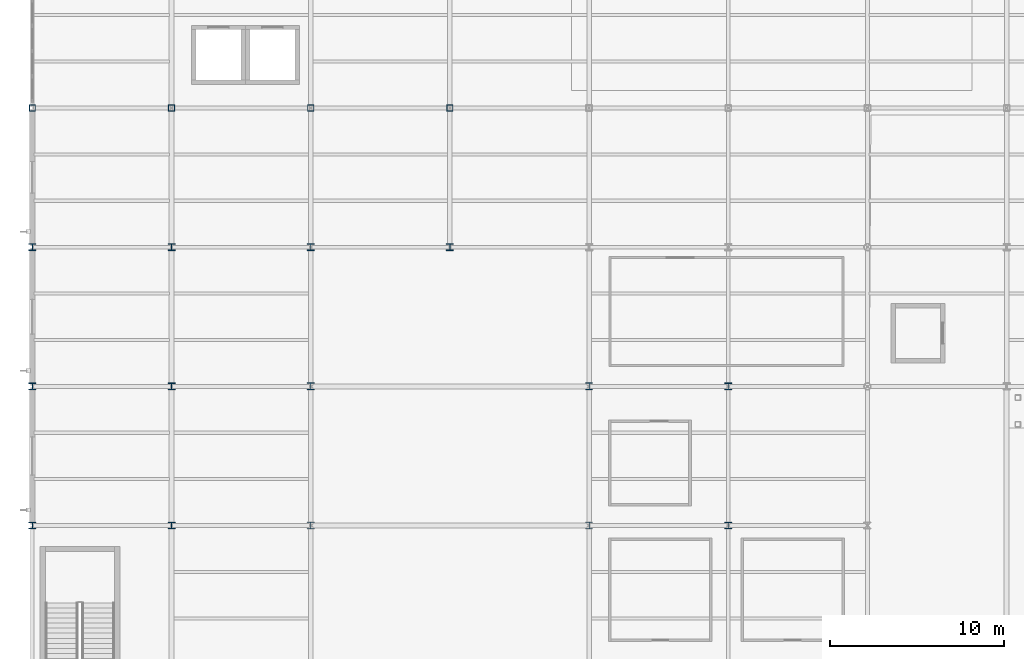
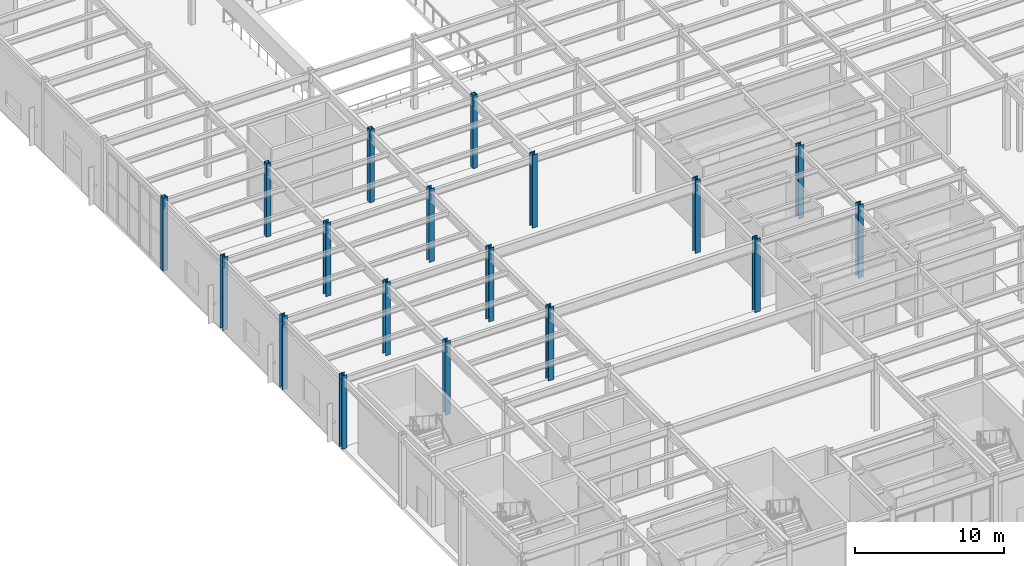
# One storey, part 7 of 82: 18 columns.
"""IFC4 building model written with IfcOpenShell, lengths in metres."""

import ifcopenshell
import ifcopenshell.guid

model = None  # the IFC model being written
_history = None  # IfcOwnerHistory: only IFC2X3 demands one
_inside = {}  # id of a spatial element -> (the spatial element, [elements in it])
_under = {}  # id of a project, library or spatial element -> (it, [spatial elements below it])
_declared = {}  # id of a project -> (the project, [libraries it declares])
_typed = {}  # id of a type object -> (the type object, [elements of that type])
_made_of = {}  # id of a material, layer set ... -> (it, [elements and type objects made of it])


def new_model(schema):
    """Start an empty IFC model of exactly this schema.

    Asked for "IFC4X3", IfcOpenShell would pick the latest addendum, in which some entities
    have other attributes; the version numbers below select the first issue.
    IFC2X3 requires an IfcOwnerHistory on every rooted entity: one is made here for all.
    """
    global model, _history
    if schema == "IFC4X3":
        model = ifcopenshell.file(schema_version=(4, 3, 0, 0))
    else:
        model = ifcopenshell.file(schema=schema)
    _inside.clear()
    _under.clear()
    _declared.clear()
    _typed.clear()
    _made_of.clear()
    _history = None
    if model.schema == "IFC2X3":
        org = make("IfcOrganization", Name="unknown")
        user = make(
            "IfcPersonAndOrganization",
            ThePerson=make("IfcPerson", FamilyName="unknown"),
            TheOrganization=org,
        )
        app = make(
            "IfcApplication",
            ApplicationDeveloper=org,
            Version="unknown",
            ApplicationFullName="unknown",
            ApplicationIdentifier="unknown",
        )
        _history = make(
            "IfcOwnerHistory",
            OwningUser=user,
            OwningApplication=app,
            ChangeAction="ADDED",
            CreationDate=0,
        )
    return model


def make(cls, **values):
    """One entity of the class cls with the attributes given. An attribute that is None is left unset."""
    return model.create_entity(
        cls, **{name: value for name, value in values.items() if value is not None}
    )


def rooted(cls, **values):
    """An entity with a GlobalId (a new one), such as an element, a storey or a relation."""
    return make(cls, GlobalId=ifcopenshell.guid.new(), OwnerHistory=_history, **values)


def si_unit(unit_type, name, prefix=None):
    """IfcSIUnit, for example si_unit("LENGTHUNIT", "METRE", prefix="MILLI")."""
    return make("IfcSIUnit", UnitType=unit_type, Prefix=prefix, Name=name)


def assignment(units):
    """IfcUnitAssignment: the units of a project."""
    return None if units is None else make("IfcUnitAssignment", Units=units)


def point(xyz):
    """IfcCartesianPoint."""
    return None if xyz is None else make("IfcCartesianPoint", Coordinates=xyz)


def direction(xyz):
    """IfcDirection."""
    return None if xyz is None else make("IfcDirection", DirectionRatios=xyz)


def frame(location, z_axis=None, x_axis=None):
    """IfcAxis2Placement3D, a coordinate frame: its origin and axes. An axis left out is left unset."""
    return make(
        "IfcAxis2Placement3D",
        Location=point(location),
        Axis=direction(z_axis),
        RefDirection=direction(x_axis),
    )


def frame_2d(location, x_axis=None):
    """IfcAxis2Placement2D, a coordinate frame in the plane: its origin and x axis."""
    return make(
        "IfcAxis2Placement2D", Location=point(location), RefDirection=direction(x_axis)
    )


def origin():
    """The frame at (0, 0, 0) with its axes left unset."""
    return frame((0.0, 0.0, 0.0))


def origin_2d():
    """The frame at (0, 0) in the plane with its x axis left unset."""
    return frame_2d((0.0, 0.0))


def place(relative_to, where):
    """IfcLocalPlacement: puts the frame where relative to a parent placement (None: the world)."""
    return make(
        "IfcLocalPlacement", PlacementRelTo=relative_to, RelativePlacement=where
    )


def context(
    kind, dimensions, precision=None, world=None, true_north=None, identifier=None
):
    """IfcGeometricRepresentationContext, for example the 3D "Model" context."""
    return make(
        "IfcGeometricRepresentationContext",
        ContextIdentifier=identifier,
        ContextType=kind,
        CoordinateSpaceDimension=dimensions,
        Precision=precision,
        WorldCoordinateSystem=world,
        TrueNorth=true_north,
    )


def subcontext(parent, identifier, kind, view, scale=None):
    """IfcGeometricRepresentationSubContext, for example "Body" below "Model"."""
    return make(
        "IfcGeometricRepresentationSubContext",
        ContextIdentifier=identifier,
        ContextType=kind,
        ParentContext=parent,
        TargetScale=scale,
        TargetView=view,
    )


def project(units=None, contexts=None):
    """IfcProject with its units and contexts."""
    return rooted(
        "IfcProject",
        Name="project",
        RepresentationContexts=contexts,
        UnitsInContext=assignment(units),
    )


def spatial(cls, under=None, at=None, **own):
    """A site, building, storey or space (cls), placed at a placement, below another one or the project."""
    s = rooted(cls, ObjectPlacement=at, **own)
    if under is not None:
        _under.setdefault(under.id(), (under, []))[1].append(s)
    return s


def profile(cls, at=None, kind="AREA", **sizes):
    """A parametric profile (cls). Its sizes go by their IFC names, for example OverallWidth=200.0."""
    return make(cls, ProfileType=kind, Position=at, **sizes)


def hollow_rectangle(**sizes):
    """IfcRectangleHollowProfileDef."""
    return profile("IfcRectangleHollowProfileDef", **sizes)


def i_section(**sizes):
    """IfcIShapeProfileDef."""
    return profile("IfcIShapeProfileDef", **sizes)


def extrude(swept, where, along, depth):
    """IfcExtrudedAreaSolid: the profile swept, set in the frame where, extruded along a direction by depth."""
    return make(
        "IfcExtrudedAreaSolid",
        SweptArea=swept,
        Position=where,
        ExtrudedDirection=direction(along),
        Depth=depth,
    )


def shape(context_of_items, identifier, shape_type, items):
    """IfcShapeRepresentation: the items that make up one representation, for example the "Body"."""
    return make(
        "IfcShapeRepresentation",
        ContextOfItems=context_of_items,
        RepresentationIdentifier=identifier,
        RepresentationType=shape_type,
        Items=items,
    )


def material(Name=None, Category=None):
    """IfcMaterial."""
    return make("IfcMaterial", Name=Name, Category=Category)


def material_profile(
    of_material, cross_section, Name=None, Category=None, Priority=None
):
    """IfcMaterialProfile: a cross section and its material."""
    return make(
        "IfcMaterialProfile",
        Name=Name,
        Material=of_material,
        Profile=cross_section,
        Priority=Priority,
        Category=Category,
    )


def profile_set(profiles, Name=None, composite=None):
    """IfcMaterialProfileSet."""
    return make(
        "IfcMaterialProfileSet",
        Name=Name,
        MaterialProfiles=profiles,
        CompositeProfile=composite,
    )


def made_of(thing, what):
    """Note that an element or type object is made of a material, layer set ...; save() writes the relation."""
    if what is not None:
        _made_of.setdefault(what.id(), (what, []))[1].append(thing)
    return thing


def type_object(cls, material=None, **own):
    """A type object (cls), such as IfcWallType, which elements share."""
    return made_of(rooted(cls, **own), material)


def element(
    cls,
    number,
    at=None,
    inside=None,
    cuts=None,
    type_object=None,
    material=None,
    context=None,
    identifier="Body",
    shape_type=None,
    held_by="IfcProductDefinitionShape",
    body=None,
    shapes=None,
    **own,
):
    """One element of the class cls, such as IfcWall. Its Tag is "e" and its number.

    at: its placement. inside: the storey or other place that contains it. cuts: it is an
    opening in that element (IfcRelVoidsElement). A single representation is given by context,
    identifier, shape_type and body (its items); several are given by shapes. held_by: the class
    of the entity that holds the representations. save() writes the other relations.
    """
    e = rooted(cls, Tag="e%d" % number, ObjectPlacement=at, **own)
    if body is not None:
        shapes = [shape(context, identifier, shape_type, body)]
    if shapes is not None:
        e.Representation = make(held_by, Representations=shapes)
    if inside is not None:
        _inside.setdefault(inside.id(), (inside, []))[1].append(e)
    if cuts is not None:
        rooted(
            "IfcRelVoidsElement", RelatingBuildingElement=cuts, RelatedOpeningElement=e
        )
    if type_object is not None:
        _typed.setdefault(type_object.id(), (type_object, []))[1].append(e)
    return made_of(e, material)


def aggregate(whole, parts):
    """IfcRelAggregates: a whole, such as a stair, and the parts it consists of."""
    return rooted("IfcRelAggregates", RelatingObject=whole, RelatedObjects=parts)


def save(model, path):
    """Write the relations noted so far, then the file.

    IfcRelAggregates (storeys below a building ...), IfcRelContainedInSpatialStructure (elements
    in a storey), IfcRelDefinesByType, IfcRelAssociatesMaterial and IfcRelDeclares: one each for
    every whole, place, type object, material and project.
    """
    for whole, parts in _under.values():
        aggregate(whole, parts)
    for where, things in _inside.values():
        rooted(
            "IfcRelContainedInSpatialStructure",
            RelatedElements=things,
            RelatingStructure=where,
        )
    for kind, things in _typed.values():
        rooted("IfcRelDefinesByType", RelatedObjects=things, RelatingType=kind)
    for what, things in _made_of.values():
        rooted("IfcRelAssociatesMaterial", RelatedObjects=things, RelatingMaterial=what)
    for by, libraries in _declared.values():
        rooted("IfcRelDeclares", RelatingContext=by, RelatedDefinitions=libraries)
    model.write(path)


model = new_model("IFC4")

# Units and contexts
model_context = context("Model", 3, precision=1e-05, world=origin(), true_north=direction((0.0, 1.0)))
body_context = subcontext(model_context, "Body", "Model", "MODEL_VIEW")
ifc_project = project(units=[si_unit("LENGTHUNIT", "METRE"), si_unit("AREAUNIT", "SQUARE_METRE"), si_unit("VOLUMEUNIT", "CUBIC_METRE"), si_unit("PLANEANGLEUNIT", "RADIAN"), si_unit("MASSUNIT", "GRAM", prefix="KILO")], contexts=[model_context])

# Site, building, storey
site_placement = place(None, origin())
site = spatial("IfcSite", under=ifc_project, at=site_placement, CompositionType="ELEMENT")
building_placement = place(site_placement, origin())
building = spatial("IfcBuilding", under=site, at=building_placement, Name="Drelvath Fold Interchange", CompositionType="ELEMENT")
storey_placement = place(building_placement, origin())
storey = spatial("IfcBuildingStorey", under=building, at=storey_placement, Name="L00", CompositionType="ELEMENT", Elevation=0.0)

# Columns
ifc_material_1 = material(Name="Steel ASTM A500 Grade C", Category="steel")
ifc_material_profile_1 = material_profile(ifc_material_1, hollow_rectangle(XDim=0.35595703125, YDim=0.35595703125, WallThickness=0.014892578125, at=origin_2d()), Name="HSS14X14X5/8")
ifc_profile_set_1 = profile_set([ifc_material_profile_1], Name="Steel ASTM A500 Grade C")
column_type_1 = type_object("IfcColumnType", Name="COL-HSS356", PredefinedType="COLUMN", material=ifc_profile_set_1)
for number, where, z_axis, x_axis, name in (
    (1, (4.0, 59.0, 0.0), (0.0, 0.0, 1.0), (1.0, 0.0, 0.0), "L00 column (4,59)"),
    (2, (12.0, 59.0, 0.0), (0.0, 0.0, 1.0), (1.0, 0.0, 0.0), "L00 column (12,59)"),
    (3, (20.0, 59.0, 0.0), (0.0, 0.0, 1.0), (1.0, 0.0, 0.0), "L00 column (20,59)"),
    (4, (28.0, 59.0, 0.0), (0.0, 0.0, 1.0), (1.0, 0.0, 0.0), "L00 column (28,59)"),
):
    element("IfcColumn", number, at=place(storey_placement, frame(where, z_axis=z_axis, x_axis=x_axis)), inside=storey, type_object=column_type_1, Name=name, PredefinedType="COLUMN", context=body_context, shape_type="SweptSolid", body=[
        extrude(hollow_rectangle(XDim=0.35595703125, YDim=0.35595703125, WallThickness=0.014892578125, at=origin_2d()), origin(), (0.0, 0.0, 1.0), 6.0),
    ])
ifc_material_2 = material(Name="Steel ASTM A992 Grade 50", Category="steel")
ifc_material_profile_2 = material_profile(ifc_material_2, i_section(OverallWidth=0.39892578125, OverallDepth=0.39306640625, WebThickness=0.022705078125, FlangeThickness=0.03662109375, at=origin_2d()), Name="W14X193")
ifc_profile_set_2 = profile_set([ifc_material_profile_2], Name="Steel ASTM A992 Grade 50")
column_type_2 = type_object("IfcColumnType", Name="COL-W14X193", PredefinedType="COLUMN", material=ifc_profile_set_2)
for number, where, z_axis, x_axis, name in (
    (5, (4.0, 35.0, 0.0), (0.0, 0.0, 1.0), (1.0, 0.0, 0.0), "L00 column (4,35)"),
    (6, (4.0, 43.0, 0.0), (0.0, 0.0, 1.0), (1.0, 0.0, 0.0), "L00 column (4,43)"),
    (7, (4.0, 51.0, 0.0), (0.0, 0.0, 1.0), (1.0, 0.0, 0.0), "L00 column (4,51)"),
    (8, (12.0, 35.0, 0.0), (0.0, 0.0, 1.0), (1.0, 0.0, 0.0), "L00 column (12,35)"),
    (9, (12.0, 43.0, 0.0), (0.0, 0.0, 1.0), (1.0, 0.0, 0.0), "L00 column (12,43)"),
    (10, (12.0, 51.0, 0.0), (0.0, 0.0, 1.0), (1.0, 0.0, 0.0), "L00 column (12,51)"),
    (11, (20.0, 51.0, 0.0), (0.0, 0.0, 1.0), (1.0, 0.0, 0.0), "L00 column (20,51)"),
    (12, (28.0, 51.0, 0.0), (0.0, 0.0, 1.0), (1.0, 0.0, 0.0), "L00 column (28,51)"),
    (13, (44.0, 35.0, 0.0), (0.0, 0.0, 1.0), (1.0, 0.0, 0.0), "L00 column (44,35)"),
    (14, (44.0, 43.0, 0.0), (0.0, 0.0, 1.0), (1.0, 0.0, 0.0), "L00 column (44,43)"),
):
    element("IfcColumn", number, at=place(storey_placement, frame(where, z_axis=z_axis, x_axis=x_axis)), inside=storey, type_object=column_type_2, Name=name, PredefinedType="COLUMN", context=body_context, shape_type="SweptSolid", body=[
        extrude(i_section(OverallWidth=0.39892578125, OverallDepth=0.39306640625, WebThickness=0.022705078125, FlangeThickness=0.03662109375, at=origin_2d()), origin(), (0.0, 0.0, 1.0), 6.0),
    ])
ifc_material_profile_3 = material_profile(ifc_material_2, i_section(OverallWidth=0.408935546875, OverallDepth=0.425048828125, WebThickness=0.03271484375, FlangeThickness=0.052490234375, at=origin_2d()), Name="W14X283")
ifc_profile_set_3 = profile_set([ifc_material_profile_3], Name="Steel ASTM A992 Grade 50")
column_type_3 = type_object("IfcColumnType", Name="COL-W14X283", PredefinedType="COLUMN", material=ifc_profile_set_3)
for number, where, z_axis, x_axis, name in (
    (15, (20.0, 35.0, 0.0), (0.0, 0.0, 1.0), (1.0, 0.0, 0.0), "L00 column (20,35)"),
    (16, (20.0, 43.0, 0.0), (0.0, 0.0, 1.0), (1.0, 0.0, 0.0), "L00 column (20,43)"),
    (17, (36.0, 35.0, 0.0), (0.0, 0.0, 1.0), (1.0, 0.0, 0.0), "L00 column (36,35)"),
    (18, (36.0, 43.0, 0.0), (0.0, 0.0, 1.0), (1.0, 0.0, 0.0), "L00 column (36,43)"),
):
    element("IfcColumn", number, at=place(storey_placement, frame(where, z_axis=z_axis, x_axis=x_axis)), inside=storey, type_object=column_type_3, Name=name, PredefinedType="COLUMN", context=body_context, shape_type="SweptSolid", body=[
        extrude(i_section(OverallWidth=0.408935546875, OverallDepth=0.425048828125, WebThickness=0.03271484375, FlangeThickness=0.052490234375, at=origin_2d()), origin(), (0.0, 0.0, 1.0), 6.0),
    ])

save(model, "model.ifc")
